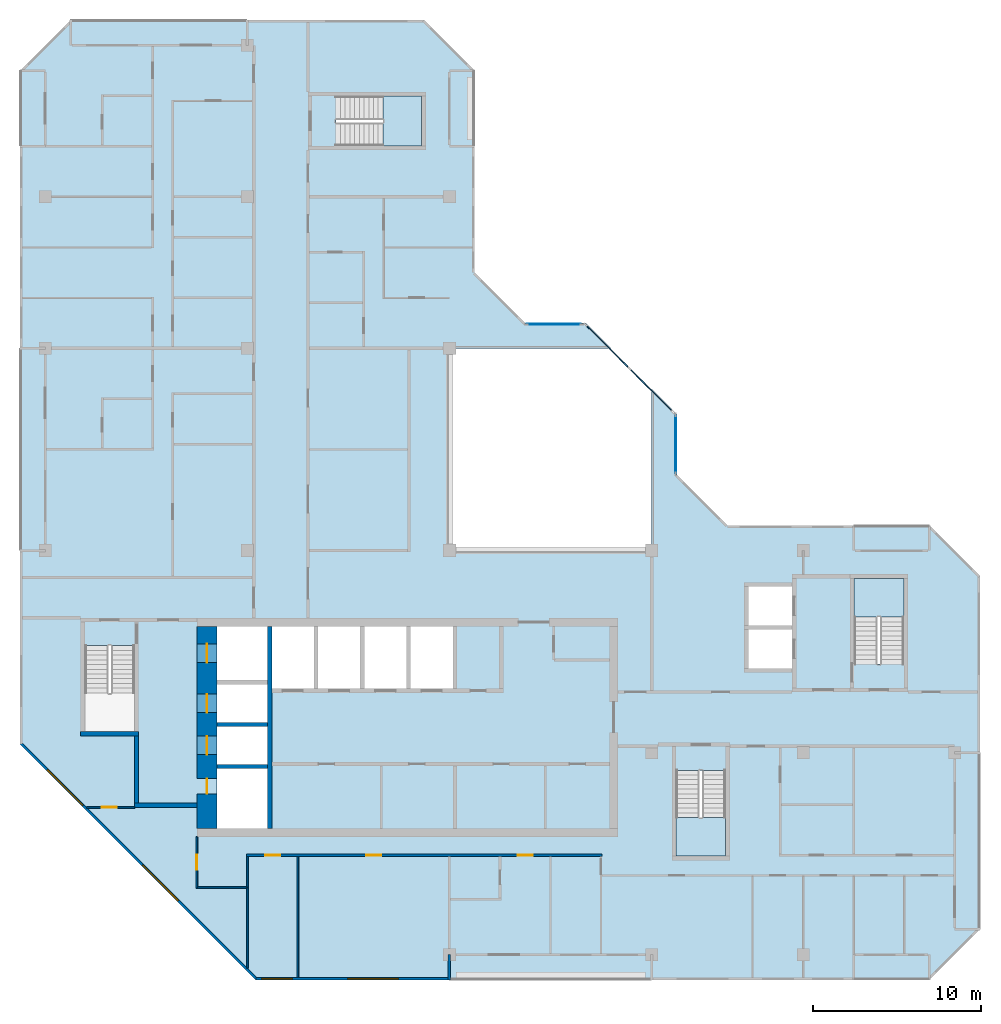
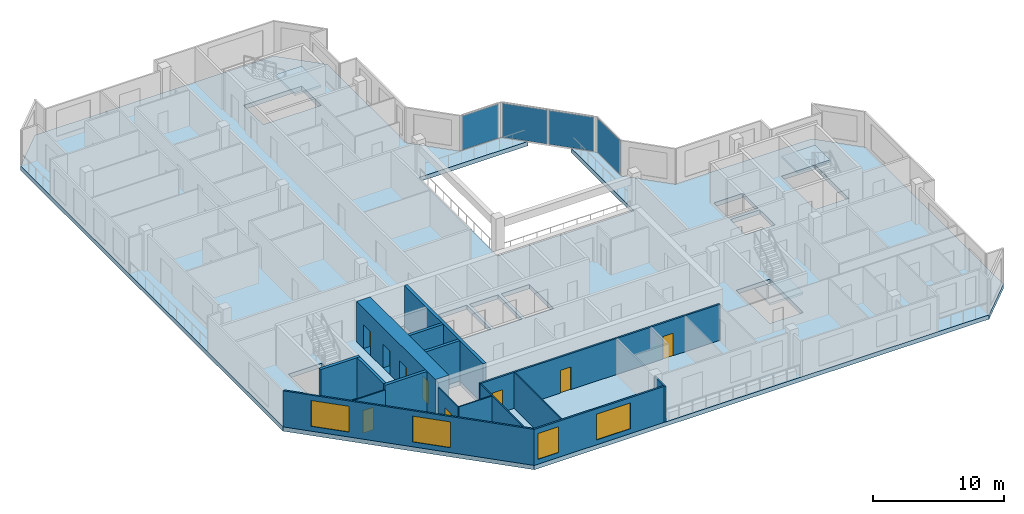
# One storey, part 3 of 12: 16 walls, 9 doors, 4 plates, 4 slabs, 4 windows, 13 openings, 6 elements without a shape of their own.
"""IFC4 building model written with IfcOpenShell, lengths in metres."""

from ifc_helpers import new_model, si_unit, direction, frame, frame_2d, origin, origin_2d, place, context, subcontext, project, spatial, polyline, rectangle, outline, extrude, material, layer, layer_set, type_object, element, fill, aggregate, save


model = new_model("IFC4")

# Units and contexts
model_context = context("Model", 3, precision=1e-05, world=origin(), true_north=direction((0.0, 1.0)))
body_context = subcontext(model_context, "Body", "Model", "MODEL_VIEW")
ifc_project = project(units=[si_unit("LENGTHUNIT", "METRE"), si_unit("AREAUNIT", "SQUARE_METRE"), si_unit("VOLUMEUNIT", "CUBIC_METRE"), si_unit("PLANEANGLEUNIT", "RADIAN"), si_unit("MASSUNIT", "GRAM", prefix="KILO")], contexts=[model_context])

# Site, building, storey
site_placement = place(None, origin())
site = spatial("IfcSite", under=ifc_project, at=site_placement, CompositionType="ELEMENT")
building_placement = place(site_placement, origin())
building = spatial("IfcBuilding", under=site, at=building_placement, Name="Chenar Terraces", CompositionType="ELEMENT")
storey_placement = place(building_placement, frame((0.0, 0.0, 342.64990234375)))
storey = spatial("IfcBuildingStorey", under=building, at=storey_placement, Name="L79", CompositionType="ELEMENT", Elevation=342.64990234375)

# Curtain wall, plate
ifc_material_1 = material(Name="Aluminium framed glazing", Category="aluminium")
ifc_layer_1 = layer(ifc_material_1, 0.14990234375)
ifc_layer_set_1 = layer_set([ifc_layer_1], Name="Aluminium framed glazing")
curtain_wall_type = type_object("IfcCurtainWallType", Name="Atrium upper-zone curtain wall", PredefinedType="NOTDEFINED", material=ifc_layer_set_1)
placement_1 = place(storey_placement, origin())
curtain_wall_1 = element("IfcCurtainWall", 1, at=placement_1, inside=storey, type_object=curtain_wall_type, Name="Atrium upper-zone curtain wall", PredefinedType="NOTDEFINED")
ifc_material_2 = material(Name="Low emissivity laminated glass, solar control coating", Category="glass")
ifc_layer_2 = layer(ifc_material_2, 0.050048828125)
ifc_layer_set_2 = layer_set([ifc_layer_2], Name="Low emissivity laminated glass, solar control coating")
plate_type = type_object("IfcPlateType", Name="Atrium upper-zone glazing panel 50", PredefinedType="CURTAIN_PANEL", material=ifc_layer_set_2)
plate_1_placement = place(storey_placement, frame((37.425048828125, 30.300048828125, 0.10009765625), z_axis=(0.0, 0.0, 1.0), x_axis=(0.0, 1.0, 0.0)))
plate_1 = element("IfcPlate", 2, at=plate_1_placement, type_object=plate_type, Name="CW8-1 panel 1.1", PredefinedType="CURTAIN_PANEL", context=body_context, shape_type="SweptSolid", body=[
    extrude(rectangle(XDim=3.39990234375, YDim=0.050048828125, at=origin_2d()), origin(), (0.0, 0.0, 1.0), 3.14990234375),
])
aggregate(curtain_wall_1, [plate_1])

# Curtain wall, plates
curtain_wall_2 = element("IfcCurtainWall", 3, at=placement_1, inside=storey, type_object=curtain_wall_type, Name="Atrium upper-zone curtain wall", PredefinedType="NOTDEFINED")
plate_2_placement = place(storey_placement, frame((35.97314453125, 33.520751953125, 0.10009765625), z_axis=(0.0, 0.0, 1.0), x_axis=(-0.707106781187, 0.707106781187, 0.0)))
plate_2 = element("IfcPlate", 4, at=plate_2_placement, type_object=plate_type, Name="CW8-2 panel 1.1", PredefinedType="CURTAIN_PANEL", context=body_context, shape_type="SweptSolid", body=[
    extrude(rectangle(XDim=3.568359375, YDim=0.050048828125, at=origin_2d()), origin(), (0.0, 0.0, 1.0), 3.14990234375),
])
plate_3_placement = place(storey_placement, frame((33.379150390625, 36.11474609375, 0.10009765625), z_axis=(0.0, 0.0, 1.0), x_axis=(-0.707106781187, 0.707106781187, 0.0)))
plate_3 = element("IfcPlate", 5, at=plate_3_placement, type_object=plate_type, Name="CW8-2 panel 2.1", PredefinedType="CURTAIN_PANEL", context=body_context, shape_type="SweptSolid", body=[
    extrude(rectangle(XDim=3.568359375, YDim=0.050048828125, at=origin_2d()), origin(), (0.0, 0.0, 1.0), 3.14990234375),
])
aggregate(curtain_wall_2, [plate_2, plate_3])

# Curtain wall, plate
curtain_wall_3 = element("IfcCurtainWall", 6, at=placement_1, inside=storey, type_object=curtain_wall_type, Name="Atrium upper-zone curtain wall", PredefinedType="NOTDEFINED")
plate_4_placement = place(storey_placement, frame((30.199951171875, 37.425048828125, 0.10009765625), z_axis=(0.0, 0.0, 1.0), x_axis=(-1.0, 0.0, 0.0)))
plate_4 = element("IfcPlate", 7, at=plate_4_placement, type_object=plate_type, Name="CW8-3 panel 1.1", PredefinedType="CURTAIN_PANEL", context=body_context, shape_type="SweptSolid", body=[
    extrude(rectangle(XDim=3.199951171875, YDim=0.050048828125, at=origin_2d()), origin(), (0.0, 0.0, 1.0), 3.14990234375),
])
aggregate(curtain_wall_3, [plate_4])

# Stair, slab
ifc_material_3 = material(Name="Reinforced concrete C40/50", Category="concrete")
stair_type = type_object("IfcStairType", Name="Core stair 1400 half-turn", PredefinedType="HALF_TURN_STAIR", material=ifc_material_3)
stair_1 = element("IfcStair", 8, at=placement_1, inside=storey, type_object=stair_type, Name="L79 Stair 2", PredefinedType="HALF_TURN_STAIR")
ifc_material_4 = material(Name="Reinforced concrete C40/50", Category="concrete")
ifc_layer_3 = layer(ifc_material_4, 0.199951171875)
ifc_layer_set_3 = layer_set([ifc_layer_3], Name="Reinforced concrete C40/50")
slab_type_1 = type_object("IfcSlabType", Name="Core stair landing 200", PredefinedType="LANDING", material=ifc_layer_set_3)
placement_2 = place(storey_placement, frame((0.0, 0.0, 1.675048828125)))
slab_1 = element("IfcSlab", 9, at=placement_2, type_object=slab_type_1, Name="ST2 landing 1", PredefinedType="LANDING", context=body_context, shape_type="SweptSolid", body=[
    extrude(outline(polyline([(37.449951171875, 8.14990234375), (37.449951171875, 5.85009765625), (40.39990234375, 5.85009765625), (40.39990234375, 8.14990234375), (37.449951171875, 8.14990234375)])), origin(), (0.0, 0.0, 1.0), 0.199951171875),
])
aggregate(stair_1, [slab_1])

stair_2 = element("IfcStair", 10, at=placement_1, inside=storey, type_object=stair_type, Name="L79 Stair 3", PredefinedType="HALF_TURN_STAIR")
slab_2 = element("IfcSlab", 11, at=placement_2, type_object=slab_type_1, Name="ST3 landing 1", PredefinedType="LANDING", context=body_context, shape_type="SweptSolid", body=[
    extrude(outline(polyline([(50.97509765625, 20.050048828125), (50.97509765625, 22.35009765625), (48.02490234375, 22.35009765625), (48.02490234375, 20.050048828125), (50.97509765625, 20.050048828125)])), origin(), (0.0, 0.0, 1.0), 0.199951171875),
])
aggregate(stair_2, [slab_2])

stair_3 = element("IfcStair", 12, at=placement_1, inside=storey, type_object=stair_type, Name="L79 Stair 4", PredefinedType="HALF_TURN_STAIR")
slab_3 = element("IfcSlab", 13, at=placement_2, type_object=slab_type_1, Name="ST4 landing 1", PredefinedType="LANDING", context=body_context, shape_type="SweptSolid", body=[
    extrude(outline(polyline([(20.050048828125, 48.02490234375), (22.35009765625, 48.02490234375), (22.35009765625, 50.97509765625), (20.050048828125, 50.97509765625), (20.050048828125, 48.02490234375)])), origin(), (0.0, 0.0, 1.0), 0.199951171875),
])
aggregate(stair_3, [slab_3])

# Slab
ifc_material_5 = material(Name="Concrete C40/50", Category="concrete")
ifc_layer_4 = layer(ifc_material_5, 0.39990234375)
ifc_layer_set_4 = layer_set([ifc_layer_4], Name="Concrete C40/50")
slab_type_2 = type_object("IfcSlabType", Name="Floor slab 400 Concrete C40/50", PredefinedType="FLOOR", material=ifc_layer_set_4)
slab_4_placement = place(storey_placement, frame((0.0, 0.0, -0.39990234375)))
element("IfcSlab", 14, at=slab_4_placement, inside=storey, type_object=slab_type_2, Name="Floor slab L79", PredefinedType="FLOOR", context=body_context, shape_type="SweptSolid", body=[
    extrude(outline(polyline([(55.5, 22.5), (55.5, 1.5), (52.5, -1.5), (12.5, -1.5), (-1.5, 12.5), (-1.5, 52.5), (1.5, 55.5), (22.5, 55.5), (25.5, 52.5), (25.5, 40.5), (28.5, 37.5), (32.10009765625, 37.5), (33.60009765625, 36.0), (24.0, 36.0), (24.0, 24.0), (36.0, 24.0), (36.0, 33.60009765625), (37.5, 32.10009765625), (37.5, 28.5), (40.5, 25.5), (52.5, 25.5), (55.5, 22.5)]), holes=[polyline([(10.199951171875, 11.050048828125), (10.199951171875, 7.5), (13.199951171875, 7.5), (13.199951171875, 11.050048828125), (10.199951171875, 11.050048828125)]), polyline([(13.199951171875, 13.550048828125), (10.199951171875, 13.550048828125), (10.199951171875, 11.300048828125), (13.199951171875, 11.300048828125), (13.199951171875, 13.550048828125)]), polyline([(13.199951171875, 16.050048828125), (10.199951171875, 16.050048828125), (10.199951171875, 13.800048828125), (13.199951171875, 13.800048828125), (13.199951171875, 16.050048828125)]), polyline([(2.35009765625, 13.25), (5.300048828125, 13.25), (5.300048828125, 18.35009765625), (2.35009765625, 18.35009765625), (2.35009765625, 13.25)]), polyline([(15.949951171875, 19.5), (13.449951171875, 19.5), (13.449951171875, 15.800048828125), (15.949951171875, 15.800048828125), (15.949951171875, 19.5)]), polyline([(18.699951171875, 19.5), (16.199951171875, 19.5), (16.199951171875, 15.800048828125), (18.699951171875, 15.800048828125), (18.699951171875, 19.5)]), polyline([(13.199951171875, 19.5), (10.199951171875, 19.5), (10.199951171875, 16.300048828125), (13.199951171875, 16.300048828125), (13.199951171875, 19.5)]), polyline([(22.35009765625, 48.02490234375), (22.35009765625, 50.97509765625), (17.25, 50.97509765625), (17.25, 48.02490234375), (22.35009765625, 48.02490234375)]), polyline([(37.449951171875, 5.85009765625), (40.39990234375, 5.85009765625), (40.39990234375, 10.949951171875), (37.449951171875, 10.949951171875), (37.449951171875, 5.85009765625)]), polyline([(21.449951171875, 19.5), (18.949951171875, 19.5), (18.949951171875, 15.800048828125), (21.449951171875, 15.800048828125), (21.449951171875, 19.5)]), polyline([(24.199951171875, 19.5), (21.699951171875, 19.5), (21.699951171875, 15.800048828125), (24.199951171875, 15.800048828125), (24.199951171875, 19.5)]), polyline([(44.35009765625, 19.300048828125), (41.75, 19.300048828125), (41.75, 17.0), (44.35009765625, 17.0), (44.35009765625, 19.300048828125)]), polyline([(50.97509765625, 22.35009765625), (48.02490234375, 22.35009765625), (48.02490234375, 17.25), (50.97509765625, 17.25), (50.97509765625, 22.35009765625)]), polyline([(44.35009765625, 21.85009765625), (41.75, 21.85009765625), (41.75, 19.550048828125), (44.35009765625, 19.550048828125), (44.35009765625, 21.85009765625)])]), origin(), (0.0, 0.0, 1.0), 0.39990234375),
])

# Wall, openings, doors
ifc_material_6 = material(Name="Concrete C50/60", Category="concrete")
ifc_layer_5 = layer(ifc_material_6, 1.199951171875)
ifc_layer_set_5 = layer_set([ifc_layer_5], Name="Concrete C50/60")
wall_type_1 = type_object("IfcWallType", Name="Core wall 1200 Concrete C50/60", PredefinedType="SHEAR", material=ifc_layer_set_5)
wall_1_placement = place(storey_placement, frame((9.60009765625, 7.5, 0.0), z_axis=(0.0, 0.0, 1.0), x_axis=(0.0, 1.0, 0.0)))
wall_1 = element("IfcWall", 15, at=wall_1_placement, inside=storey, type_object=wall_type_1, Name="Core wall W L79", PredefinedType="SHEAR", context=body_context, shape_type="SweptSolid", body=[
    extrude(rectangle(XDim=12.0, YDim=1.199951171875, at=frame_2d((6.0, 0.0))), origin(), (0.0, 0.0, 1.0), 3.75),
])
opening_1_placement = place(wall_1_placement, frame((4.375, 0.0, 0.0)))
opening_1 = element("IfcOpeningElement", 16, at=opening_1_placement, cuts=wall_1, Name="Opening DL79-LD5", PredefinedType="OPENING", context=body_context, shape_type="SweptSolid", body=[
    extrude(rectangle(XDim=1.10009765625, YDim=2.199951171875, at=frame_2d((0.550048828125, 1.10009765625))), frame((0.0, 0.60986328125, 0.0), z_axis=(0.0, -1.0, 0.0), x_axis=(1.0, 0.0, 0.0)), (0.0, 0.0, 1.0), 1.219970703125),
])
opening_2_placement = place(wall_1_placement, frame((6.875, 0.0, 0.0)))
opening_2 = element("IfcOpeningElement", 17, at=opening_2_placement, cuts=wall_1, Name="Opening DL79-LD6", PredefinedType="OPENING", context=body_context, shape_type="SweptSolid", body=[
    extrude(rectangle(XDim=1.10009765625, YDim=2.199951171875, at=frame_2d((0.550048828125, 1.10009765625))), frame((0.0, 0.60986328125, 0.0), z_axis=(0.0, -1.0, 0.0), x_axis=(1.0, 0.0, 0.0)), (0.0, 0.0, 1.0), 1.219970703125),
])
opening_3_placement = place(wall_1_placement, frame((9.85009765625, 0.0, 0.0)))
opening_3 = element("IfcOpeningElement", 18, at=opening_3_placement, cuts=wall_1, Name="Opening DL79-LD7", PredefinedType="OPENING", context=body_context, shape_type="SweptSolid", body=[
    extrude(rectangle(XDim=1.10009765625, YDim=2.199951171875, at=frame_2d((0.550048828125, 1.10009765625))), frame((0.0, 0.60986328125, 0.0), z_axis=(0.0, -1.0, 0.0), x_axis=(1.0, 0.0, 0.0)), (0.0, 0.0, 1.0), 1.219970703125),
])
opening_4_placement = place(wall_1_placement, frame((2.050048828125, 0.0, 0.0)))
opening_4 = element("IfcOpeningElement", 19, at=opening_4_placement, cuts=wall_1, Name="Opening DL79-C4", PredefinedType="OPENING", context=body_context, shape_type="SweptSolid", body=[
    extrude(rectangle(XDim=0.89990234375, YDim=2.10009765625, at=frame_2d((0.449951171875, 1.050048828125))), frame((0.0, 0.60986328125, 0.0), z_axis=(0.0, -1.0, 0.0), x_axis=(1.0, 0.0, 0.0)), (0.0, 0.0, 1.0), 1.219970703125),
])
ifc_material_7 = material(Name="Stainless steel", Category="steel")
door_type_1 = type_object("IfcDoorType", Name="Lift landing door 1100 x 2200 sliding", OperationType="DOUBLE_DOOR_SLIDING", PredefinedType="DOOR", material=ifc_material_7)
door_1_placement = place(opening_1_placement, origin())
door_1 = element("IfcDoor", 20, at=door_1_placement, inside=storey, type_object=door_type_1, Name="Landing door S1", OperationType="DOUBLE_DOOR_SLIDING", OverallHeight=2.199951171875, OverallWidth=1.10009765625, PredefinedType="DOOR", context=body_context, shape_type="SweptSolid", body=[
    extrude(rectangle(XDim=1.10009765625, YDim=2.199951171875, at=frame_2d((0.550048828125, 1.10009765625))), frame((0.0, 0.02490234375, 0.0), z_axis=(0.0, -1.0, 0.0), x_axis=(1.0, 0.0, 0.0)), (0.0, 0.0, 1.0), 0.050048828125),
])
fill(opening_1, door_1)
door_2_placement = place(opening_2_placement, origin())
door_2 = element("IfcDoor", 21, at=door_2_placement, inside=storey, type_object=door_type_1, Name="Landing door F1", OperationType="DOUBLE_DOOR_SLIDING", OverallHeight=2.199951171875, OverallWidth=1.10009765625, PredefinedType="DOOR", context=body_context, shape_type="SweptSolid", body=[
    extrude(rectangle(XDim=1.10009765625, YDim=2.199951171875, at=frame_2d((0.550048828125, 1.10009765625))), frame((0.0, 0.02490234375, 0.0), z_axis=(0.0, -1.0, 0.0), x_axis=(1.0, 0.0, 0.0)), (0.0, 0.0, 1.0), 0.050048828125),
])
fill(opening_2, door_2)
door_3_placement = place(opening_3_placement, origin())
door_3 = element("IfcDoor", 22, at=door_3_placement, inside=storey, type_object=door_type_1, Name="Landing door F2", OperationType="DOUBLE_DOOR_SLIDING", OverallHeight=2.199951171875, OverallWidth=1.10009765625, PredefinedType="DOOR", context=body_context, shape_type="SweptSolid", body=[
    extrude(rectangle(XDim=1.10009765625, YDim=2.199951171875, at=frame_2d((0.550048828125, 1.10009765625))), frame((0.0, 0.02490234375, 0.0), z_axis=(0.0, -1.0, 0.0), x_axis=(1.0, 0.0, 0.0)), (0.0, 0.0, 1.0), 0.050048828125),
])
fill(opening_3, door_3)
ifc_material_8 = material(Name="Steel-framed fire-resisting door leaf", Category="steel")
door_type_2 = type_object("IfcDoorType", Name="Riser fire door FD60 900 x 2100", OperationType="SINGLE_SWING_LEFT", PredefinedType="DOOR", material=ifc_material_8)
door_4_placement = place(opening_4_placement, frame((0.89990234375, 0.0, 0.0), z_axis=(0.0, 0.0, 1.0), x_axis=(-1.0, 0.0, 0.0)))
door_4 = element("IfcDoor", 23, at=door_4_placement, inside=storey, type_object=door_type_2, Name="Riser door DL79-C4", OperationType="SINGLE_SWING_LEFT", OverallHeight=2.10009765625, OverallWidth=0.89990234375, PredefinedType="DOOR", context=body_context, shape_type="SweptSolid", body=[
    extrude(rectangle(XDim=0.89990234375, YDim=2.10009765625, at=frame_2d((0.449951171875, 1.050048828125))), frame((0.0, 0.02490234375, 0.0), z_axis=(0.0, -1.0, 0.0), x_axis=(1.0, 0.0, 0.0)), (0.0, 0.0, 1.0), 0.050048828125),
])
fill(opening_4, door_4)

# Walls
ifc_material_9 = material(Name="Concrete C50/60", Category="concrete")
ifc_layer_6 = layer(ifc_material_9, 0.25)
ifc_layer_set_6 = layer_set([ifc_layer_6], Name="Concrete C50/60")
wall_type_2 = type_object("IfcWallType", Name="Core wall 250 Concrete C50/60", PredefinedType="SHEAR", material=ifc_layer_set_6)
wall_2_placement = place(storey_placement, frame((13.324951171875, 7.5, 0.0), z_axis=(0.0, 0.0, 1.0), x_axis=(0.0, 1.0, 0.0)))
element("IfcWall", 24, at=wall_2_placement, inside=storey, type_object=wall_type_2, Name="Core wall WI L79", PredefinedType="SHEAR", context=body_context, shape_type="SweptSolid", body=[
    extrude(rectangle(XDim=12.0, YDim=0.25, at=frame_2d((6.0, 0.0))), origin(), (0.0, 0.0, 1.0), 3.75),
])
for number, where, z_axis, x_axis, name in (
    (25, (10.199951171875, 11.175048828125, 0.0), (0.0, 0.0, 1.0), (1.0, 0.0, 0.0), "Core wall HW0 L79"),
    (26, (10.199951171875, 13.675048828125, 0.0), (0.0, 0.0, 1.0), (1.0, 0.0, 0.0), "Core wall HW1 L79"),
):
    element("IfcWall", number, at=place(storey_placement, frame(where, z_axis=z_axis, x_axis=x_axis)), inside=storey, type_object=wall_type_2, Name=name, PredefinedType="SHEAR", context=body_context, shape_type="SweptSolid", body=[
        extrude(rectangle(XDim=3.0, YDim=0.25, at=frame_2d((1.5, 0.0))), origin(), (0.0, 0.0, 1.0), 3.75),
    ])
wall_3_placement = place(storey_placement, frame((2.10009765625, 13.125, 0.0), z_axis=(0.0, 0.0, 1.0), x_axis=(1.0, 0.0, 0.0)))
element("IfcWall", 27, at=wall_3_placement, inside=storey, type_object=wall_type_2, Name="Core wall ST1_S L79", PredefinedType="SHEAR", context=body_context, shape_type="SweptSolid", body=[
    extrude(rectangle(XDim=3.449951171875, YDim=0.25, at=frame_2d((1.72509765625, 0.0))), origin(), (0.0, 0.0, 1.0), 3.75),
])
wall_4_placement = place(storey_placement, frame((5.300048828125, 8.875, 0.0), z_axis=(0.0, 0.0, 1.0), x_axis=(1.0, 0.0, 0.0)))
element("IfcWall", 28, at=wall_4_placement, inside=storey, type_object=wall_type_2, Name="Core wall FFL_S L79", PredefinedType="SHEAR", context=body_context, shape_type="SweptSolid", body=[
    extrude(rectangle(XDim=3.699951171875, YDim=0.25, at=frame_2d((1.85009765625, 0.0))), origin(), (0.0, 0.0, 1.0), 3.75),
])
wall_5_placement = place(storey_placement, frame((5.425048828125, 9.0, 0.0), z_axis=(0.0, 0.0, 1.0), x_axis=(0.0, 1.0, 0.0)))
element("IfcWall", 29, at=wall_5_placement, inside=storey, type_object=wall_type_2, Name="Core wall FFL_W L79", PredefinedType="SHEAR", context=body_context, shape_type="SweptSolid", body=[
    extrude(rectangle(XDim=4.0, YDim=0.25, at=frame_2d((2.0, 0.0))), origin(), (0.0, 0.0, 1.0), 3.75),
])

# Wall, openings, windows
ifc_material_10 = material(Name="Aluminium framed glazing", Category="aluminium")
ifc_layer_7 = layer(ifc_material_10, 0.14990234375)
ifc_layer_set_7 = layer_set([ifc_layer_7], Name="Aluminium framed glazing")
wall_type_3 = type_object("IfcWallType", Name="Glazed flush facade wall 150", PredefinedType="SOLIDWALL", material=ifc_layer_set_7)
wall_6_placement = place(storey_placement, frame((12.5, -1.425048828125, 0.0), z_axis=(0.0, 0.0, 1.0), x_axis=(1.0, 0.0, 0.0)))
wall_6 = element("IfcWall", 30, at=wall_6_placement, inside=storey, type_object=wall_type_3, Name="Glazed flush facade wall", PredefinedType="SOLIDWALL", context=body_context, shape_type="SweptSolid", body=[
    extrude(rectangle(XDim=11.425048828125, YDim=0.14990234375, at=frame_2d((5.71240234375, 0.0))), origin(), (0.0, 0.0, 1.0), 3.35009765625),
])
opening_5_placement = place(wall_6_placement, frame((0.35009765625, 0.0, 0.449951171875)))
opening_5 = element("IfcOpeningElement", 31, at=opening_5_placement, cuts=wall_6, Name="Opening W180x240", PredefinedType="OPENING", context=body_context, shape_type="SweptSolid", body=[
    extrude(rectangle(XDim=1.800048828125, YDim=2.39990234375, at=frame_2d((0.89990234375, 1.199951171875))), frame((0.0, 0.0849609375, 0.0), z_axis=(0.0, -1.0, 0.0), x_axis=(1.0, 0.0, 0.0)), (0.0, 0.0, 1.0), 0.169921875),
])
opening_6_placement = place(wall_6_placement, frame((5.46240234375, 0.0, 0.449951171875)))
opening_6 = element("IfcOpeningElement", 32, at=opening_6_placement, cuts=wall_6, Name="Opening W300x240", PredefinedType="OPENING", context=body_context, shape_type="SweptSolid", body=[
    extrude(rectangle(XDim=3.0, YDim=2.39990234375, at=frame_2d((1.5, 1.199951171875))), frame((0.0, 0.0849609375, 0.0), z_axis=(0.0, -1.0, 0.0), x_axis=(1.0, 0.0, 0.0)), (0.0, 0.0, 1.0), 0.169921875),
])
ifc_material_11 = material(Name="Low emissivity double glazing, aluminium frame", Category="aluminium")
window_type_1 = type_object("IfcWindowType", Name="Fixed light 1800 x 2400", PartitioningType="SINGLE_PANEL", PredefinedType="WINDOW", material=ifc_material_11)
window_1_placement = place(opening_5_placement, origin())
window_1 = element("IfcWindow", 33, at=window_1_placement, inside=storey, type_object=window_type_1, Name="Window", OverallHeight=2.39990234375, OverallWidth=1.800048828125, PartitioningType="SINGLE_PANEL", PredefinedType="WINDOW", context=body_context, shape_type="SweptSolid", body=[
    extrude(rectangle(XDim=1.800048828125, YDim=2.39990234375, at=frame_2d((0.89990234375, 1.199951171875))), frame((0.0, 0.030029296875, 0.0), z_axis=(0.0, -1.0, 0.0), x_axis=(1.0, 0.0, 0.0)), (0.0, 0.0, 1.0), 0.06005859375),
])
fill(opening_5, window_1)
ifc_material_12 = material(Name="Low emissivity double glazing, aluminium frame", Category="aluminium")
window_type_2 = type_object("IfcWindowType", Name="Fixed light 3000 x 2400", PartitioningType="SINGLE_PANEL", PredefinedType="WINDOW", material=ifc_material_12)
window_2_placement = place(opening_6_placement, origin())
window_2 = element("IfcWindow", 34, at=window_2_placement, inside=storey, type_object=window_type_2, Name="Window", OverallHeight=2.39990234375, OverallWidth=3.0, PartitioningType="SINGLE_PANEL", PredefinedType="WINDOW", context=body_context, shape_type="SweptSolid", body=[
    extrude(rectangle(XDim=3.0, YDim=2.39990234375, at=frame_2d((1.5, 1.199951171875))), frame((0.0, 0.030029296875, 0.0), z_axis=(0.0, -1.0, 0.0), x_axis=(1.0, 0.0, 0.0)), (0.0, 0.0, 1.0), 0.06005859375),
])
fill(opening_6, window_2)

# Wall, opening, door
ifc_material_13 = material(Name="Gypsum board on steel studs", Category="steel")
ifc_layer_8 = layer(ifc_material_13, 0.10009765625)
ifc_layer_set_8 = layer_set([ifc_layer_8], Name="Gypsum board on steel studs")
wall_type_4 = type_object("IfcWallType", Name="Gypsum partition 100", PredefinedType="PARTITIONING", material=ifc_layer_set_8)
wall_7_placement = place(storey_placement, frame((2.4609375, 8.75, 0.0), z_axis=(0.0, 0.0, 1.0), x_axis=(1.0, 0.0, 0.0)))
wall_7 = element("IfcWall", 35, at=wall_7_placement, inside=storey, type_object=wall_type_4, Name="Partition L79-009", PredefinedType="PARTITIONING", context=body_context, shape_type="SweptSolid", body=[
    extrude(rectangle(XDim=2.839111328125, YDim=0.10009765625, at=frame_2d((1.41943359375, 0.0))), origin(), (0.0, 0.0, 1.0), 3.35009765625),
])
opening_7_placement = place(wall_7_placement, frame((0.888916015625, 0.0, 0.0)))
opening_7 = element("IfcOpeningElement", 36, at=opening_7_placement, cuts=wall_7, Name="Opening DL79-32", PredefinedType="OPENING", context=body_context, shape_type="SweptSolid", body=[
    extrude(rectangle(XDim=0.89990234375, YDim=2.10009765625, at=frame_2d((0.449951171875, 1.050048828125))), frame((0.0, 0.06005859375, 0.0), z_axis=(0.0, -1.0, 0.0), x_axis=(1.0, 0.0, 0.0)), (0.0, 0.0, 1.0), 0.1201171875),
])
ifc_material_14 = material(Name="Veneered timber door leaf", Category="wood")
door_type_3 = type_object("IfcDoorType", Name="Door 900 x 2100", OperationType="SINGLE_SWING_LEFT", PredefinedType="DOOR", material=ifc_material_14)
door_5_placement = place(opening_7_placement, frame((0.89990234375, 0.0, 0.0), z_axis=(0.0, 0.0, 1.0), x_axis=(-1.0, 0.0, 0.0)))
door_5 = element("IfcDoor", 37, at=door_5_placement, inside=storey, type_object=door_type_3, Name="Door DL79-32", OperationType="SINGLE_SWING_RIGHT", OverallHeight=2.10009765625, OverallWidth=0.89990234375, PredefinedType="DOOR", context=body_context, shape_type="SweptSolid", body=[
    extrude(rectangle(XDim=0.89990234375, YDim=2.10009765625, at=frame_2d((0.449951171875, 1.050048828125))), frame((0.0, 0.02490234375, 0.0), z_axis=(0.0, -1.0, 0.0), x_axis=(1.0, 0.0, 0.0)), (0.0, 0.0, 1.0), 0.050048828125),
])
fill(opening_7, door_5)

wall_8_placement = place(storey_placement, frame((9.0, 3.949951171875, 0.0), z_axis=(0.0, 0.0, 1.0), x_axis=(0.0, 1.0, 0.0)))
wall_8 = element("IfcWall", 38, at=wall_8_placement, inside=storey, type_object=wall_type_4, Name="Partition L79-025", PredefinedType="PARTITIONING", context=body_context, shape_type="SweptSolid", body=[
    extrude(rectangle(XDim=3.050048828125, YDim=0.10009765625, at=frame_2d((1.52490234375, 0.0))), origin(), (0.0, 0.0, 1.0), 3.35009765625),
])
opening_8_placement = place(wall_8_placement, frame((1.10009765625, 0.0, 0.0)))
opening_8 = element("IfcOpeningElement", 39, at=opening_8_placement, cuts=wall_8, Name="Opening DL79-31", PredefinedType="OPENING", context=body_context, shape_type="SweptSolid", body=[
    extrude(rectangle(XDim=0.89990234375, YDim=2.10009765625, at=frame_2d((0.449951171875, 1.050048828125))), frame((0.0, 0.06005859375, 0.0), z_axis=(0.0, -1.0, 0.0), x_axis=(1.0, 0.0, 0.0)), (0.0, 0.0, 1.0), 0.1201171875),
])
door_6_placement = place(opening_8_placement, origin())
door_6 = element("IfcDoor", 40, at=door_6_placement, inside=storey, type_object=door_type_3, Name="Door DL79-31", OperationType="SINGLE_SWING_LEFT", OverallHeight=2.10009765625, OverallWidth=0.89990234375, PredefinedType="DOOR", context=body_context, shape_type="SweptSolid", body=[
    extrude(rectangle(XDim=0.89990234375, YDim=2.10009765625, at=frame_2d((0.449951171875, 1.050048828125))), frame((0.0, 0.02490234375, 0.0), z_axis=(0.0, -1.0, 0.0), x_axis=(1.0, 0.0, 0.0)), (0.0, 0.0, 1.0), 0.050048828125),
])
fill(opening_8, door_6)

# Walls
wall_9_placement = place(storey_placement, frame((9.050048828125, 4.0, 0.0), z_axis=(0.0, 0.0, 1.0), x_axis=(1.0, 0.0, 0.0)))
element("IfcWall", 41, at=wall_9_placement, inside=storey, type_object=wall_type_4, Name="Partition L79-026", PredefinedType="PARTITIONING", context=body_context, shape_type="SweptSolid", body=[
    extrude(rectangle(XDim=2.89990234375, YDim=0.10009765625, at=frame_2d((1.449951171875, 0.0))), origin(), (0.0, 0.0, 1.0), 3.35009765625),
])
wall_10_placement = place(storey_placement, frame((12.0, -0.787841796875, 0.0), z_axis=(0.0, 0.0, 1.0), x_axis=(0.0, 1.0, 0.0)))
element("IfcWall", 42, at=wall_10_placement, inside=storey, type_object=wall_type_4, Name="Partition L79-028", PredefinedType="PARTITIONING", context=body_context, shape_type="SweptSolid", body=[
    extrude(rectangle(XDim=6.61279296875, YDim=0.10009765625, at=frame_2d((3.306396484375, 0.0))), origin(), (0.0, 0.0, 1.0), 3.35009765625),
])
wall_11_placement = place(storey_placement, frame((15.0, -1.35009765625, 0.0), z_axis=(0.0, 0.0, 1.0), x_axis=(0.0, 1.0, 0.0)))
element("IfcWall", 43, at=wall_11_placement, inside=storey, type_object=wall_type_4, Name="Partition L79-030", PredefinedType="PARTITIONING", context=body_context, shape_type="SweptSolid", body=[
    extrude(rectangle(XDim=7.175048828125, YDim=0.10009765625, at=frame_2d((3.58740234375, 0.0))), origin(), (0.0, 0.0, 1.0), 3.35009765625),
])
ifc_material_15 = material(Name="Terracotta cladding on insulated backing", Category="masonry")
ifc_layer_9 = layer(ifc_material_15, 0.14990234375)
ifc_layer_set_9 = layer_set([ifc_layer_9], Name="Terracotta cladding on insulated backing")
wall_type_5 = type_object("IfcWallType", Name="Loggia return wall 150", PredefinedType="SOLIDWALL", material=ifc_layer_set_9)
wall_12_placement = place(storey_placement, frame((24.0, -1.5, 0.0), z_axis=(0.0, 0.0, 1.0), x_axis=(0.0, 1.0, 0.0)))
element("IfcWall", 44, at=wall_12_placement, inside=storey, type_object=wall_type_5, Name="Loggia return wall", PredefinedType="SOLIDWALL", context=body_context, shape_type="SweptSolid", body=[
    extrude(rectangle(XDim=1.5, YDim=0.14990234375, at=frame_2d((0.75, 0.0))), origin(), (0.0, 0.0, 1.0), 3.35009765625),
])

# Wall, openings, windows
ifc_material_16 = material(Name="Terracotta cladding on insulated backing", Category="masonry")
ifc_layer_10 = layer(ifc_material_16, 0.14990234375)
ifc_layer_set_10 = layer_set([ifc_layer_10], Name="Terracotta cladding on insulated backing")
wall_type_6 = type_object("IfcWallType", Name="Terracotta rainscreen wall 150", PredefinedType="SOLIDWALL", material=ifc_layer_set_10)
wall_13_placement = place(storey_placement, frame((-1.447021484375, 12.552978515625, 0.0), z_axis=(0.0, 0.0, 1.0), x_axis=(0.707106781187, -0.707106781187, 0.0)))
wall_13 = element("IfcWall", 45, at=wall_13_placement, inside=storey, type_object=wall_type_6, Name="Terracotta rainscreen wall", PredefinedType="SOLIDWALL", context=body_context, shape_type="SweptSolid", body=[
    extrude(rectangle(XDim=19.799072265625, YDim=0.14990234375, at=frame_2d((9.8994140625, 0.0))), origin(), (0.0, 0.0, 1.0), 3.35009765625),
])
opening_9_placement = place(wall_13_placement, frame((2.21240234375, 0.0, 0.449951171875)))
opening_9 = element("IfcOpeningElement", 46, at=opening_9_placement, cuts=wall_13, Name="Opening W300x240", PredefinedType="OPENING", context=body_context, shape_type="SweptSolid", body=[
    extrude(rectangle(XDim=3.0, YDim=2.39990234375, at=frame_2d((1.5, 1.199951171875))), frame((0.0, 0.0849609375, 0.0), z_axis=(0.0, -1.0, 0.0), x_axis=(1.0, 0.0, 0.0)), (0.0, 0.0, 1.0), 0.169921875),
])
opening_10_placement = place(wall_13_placement, frame((10.215576171875, 0.0, 0.449951171875)))
opening_10 = element("IfcOpeningElement", 47, at=opening_10_placement, cuts=wall_13, Name="Opening W300x240", PredefinedType="OPENING", context=body_context, shape_type="SweptSolid", body=[
    extrude(rectangle(XDim=3.0, YDim=2.39990234375, at=frame_2d((1.5, 1.199951171875))), frame((0.0, 0.0849609375, 0.0), z_axis=(0.0, -1.0, 0.0), x_axis=(1.0, 0.0, 0.0)), (0.0, 0.0, 1.0), 0.169921875),
])
window_3_placement = place(opening_9_placement, origin())
window_3 = element("IfcWindow", 48, at=window_3_placement, inside=storey, type_object=window_type_2, Name="Window", OverallHeight=2.39990234375, OverallWidth=3.0, PartitioningType="SINGLE_PANEL", PredefinedType="WINDOW", context=body_context, shape_type="SweptSolid", body=[
    extrude(rectangle(XDim=3.0, YDim=2.39990234375, at=frame_2d((1.5, 1.199951171875))), frame((0.0, 0.030029296875, 0.0), z_axis=(0.0, -1.0, 0.0), x_axis=(1.0, 0.0, 0.0)), (0.0, 0.0, 1.0), 0.06005859375),
])
fill(opening_9, window_3)
window_4_placement = place(opening_10_placement, origin())
window_4 = element("IfcWindow", 49, at=window_4_placement, inside=storey, type_object=window_type_2, Name="Window", OverallHeight=2.39990234375, OverallWidth=3.0, PartitioningType="SINGLE_PANEL", PredefinedType="WINDOW", context=body_context, shape_type="SweptSolid", body=[
    extrude(rectangle(XDim=3.0, YDim=2.39990234375, at=frame_2d((1.5, 1.199951171875))), frame((0.0, 0.030029296875, 0.0), z_axis=(0.0, -1.0, 0.0), x_axis=(1.0, 0.0, 0.0)), (0.0, 0.0, 1.0), 0.06005859375),
])
fill(opening_10, window_4)

# Wall, openings, doors
ifc_material_17 = material(Name="Moisture-resistant gypsum board on steel studs", Category="steel")
ifc_layer_11 = layer(ifc_material_17, 0.14990234375)
ifc_layer_set_11 = layer_set([ifc_layer_11], Name="Moisture-resistant gypsum board on steel studs")
wall_type_7 = type_object("IfcWallType", Name="Wet-room partition 150", PredefinedType="PARTITIONING", material=ifc_layer_set_11)
wall_14_placement = place(storey_placement, frame((11.949951171875, 5.89990234375, 0.0), z_axis=(0.0, 0.0, 1.0), x_axis=(1.0, 0.0, 0.0)))
wall_14 = element("IfcWall", 50, at=wall_14_placement, inside=storey, type_object=wall_type_7, Name="Partition L79-027", PredefinedType="PARTITIONING", context=body_context, shape_type="SweptSolid", body=[
    extrude(rectangle(XDim=21.10009765625, YDim=0.14990234375, at=frame_2d((10.550048828125, 0.0))), origin(), (0.0, 0.0, 1.0), 3.35009765625),
])
opening_11_placement = place(wall_14_placement, frame((1.10009765625, 0.0, 0.0)))
opening_11 = element("IfcOpeningElement", 51, at=opening_11_placement, cuts=wall_14, Name="Opening DL79-25", PredefinedType="OPENING", context=body_context, shape_type="SweptSolid", body=[
    extrude(rectangle(XDim=0.89990234375, YDim=2.10009765625, at=frame_2d((0.449951171875, 1.050048828125))), frame((0.0, 0.0849609375, 0.0), z_axis=(0.0, -1.0, 0.0), x_axis=(1.0, 0.0, 0.0)), (0.0, 0.0, 1.0), 0.169921875),
])
opening_12_placement = place(wall_14_placement, frame((16.10009765625, 0.0, 0.0)))
opening_12 = element("IfcOpeningElement", 52, at=opening_12_placement, cuts=wall_14, Name="Opening DL79-33", PredefinedType="OPENING", context=body_context, shape_type="SweptSolid", body=[
    extrude(rectangle(XDim=0.89990234375, YDim=2.10009765625, at=frame_2d((0.449951171875, 1.050048828125))), frame((0.0, 0.0849609375, 0.0), z_axis=(0.0, -1.0, 0.0), x_axis=(1.0, 0.0, 0.0)), (0.0, 0.0, 1.0), 0.169921875),
])
opening_13_placement = place(wall_14_placement, frame((7.10009765625, 0.0, 0.0)))
opening_13 = element("IfcOpeningElement", 53, at=opening_13_placement, cuts=wall_14, Name="Opening DL79-37", PredefinedType="OPENING", context=body_context, shape_type="SweptSolid", body=[
    extrude(rectangle(XDim=0.89990234375, YDim=2.10009765625, at=frame_2d((0.449951171875, 1.050048828125))), frame((0.0, 0.0849609375, 0.0), z_axis=(0.0, -1.0, 0.0), x_axis=(1.0, 0.0, 0.0)), (0.0, 0.0, 1.0), 0.169921875),
])
door_7_placement = place(opening_11_placement, frame((0.89990234375, 0.0, 0.0), z_axis=(0.0, 0.0, 1.0), x_axis=(-1.0, 0.0, 0.0)))
door_7 = element("IfcDoor", 54, at=door_7_placement, inside=storey, type_object=door_type_3, Name="Door DL79-25", OperationType="SINGLE_SWING_RIGHT", OverallHeight=2.10009765625, OverallWidth=0.89990234375, PredefinedType="DOOR", context=body_context, shape_type="SweptSolid", body=[
    extrude(rectangle(XDim=0.89990234375, YDim=2.10009765625, at=frame_2d((0.449951171875, 1.050048828125))), frame((0.0, 0.02490234375, 0.0), z_axis=(0.0, -1.0, 0.0), x_axis=(1.0, 0.0, 0.0)), (0.0, 0.0, 1.0), 0.050048828125),
])
fill(opening_11, door_7)
door_8_placement = place(opening_12_placement, frame((0.89990234375, 0.0, 0.0), z_axis=(0.0, 0.0, 1.0), x_axis=(-1.0, 0.0, 0.0)))
door_8 = element("IfcDoor", 55, at=door_8_placement, inside=storey, type_object=door_type_3, Name="Door DL79-33", OperationType="SINGLE_SWING_RIGHT", OverallHeight=2.10009765625, OverallWidth=0.89990234375, PredefinedType="DOOR", context=body_context, shape_type="SweptSolid", body=[
    extrude(rectangle(XDim=0.89990234375, YDim=2.10009765625, at=frame_2d((0.449951171875, 1.050048828125))), frame((0.0, 0.02490234375, 0.0), z_axis=(0.0, -1.0, 0.0), x_axis=(1.0, 0.0, 0.0)), (0.0, 0.0, 1.0), 0.050048828125),
])
fill(opening_12, door_8)
door_9_placement = place(opening_13_placement, frame((0.89990234375, 0.0, 0.0), z_axis=(0.0, 0.0, 1.0), x_axis=(-1.0, 0.0, 0.0)))
door_9 = element("IfcDoor", 56, at=door_9_placement, inside=storey, type_object=door_type_3, Name="Door DL79-37", OperationType="SINGLE_SWING_RIGHT", OverallHeight=2.10009765625, OverallWidth=0.89990234375, PredefinedType="DOOR", context=body_context, shape_type="SweptSolid", body=[
    extrude(rectangle(XDim=0.89990234375, YDim=2.10009765625, at=frame_2d((0.449951171875, 1.050048828125))), frame((0.0, 0.02490234375, 0.0), z_axis=(0.0, -1.0, 0.0), x_axis=(1.0, 0.0, 0.0)), (0.0, 0.0, 1.0), 0.050048828125),
])
fill(opening_13, door_9)

save(model, "model.ifc")
